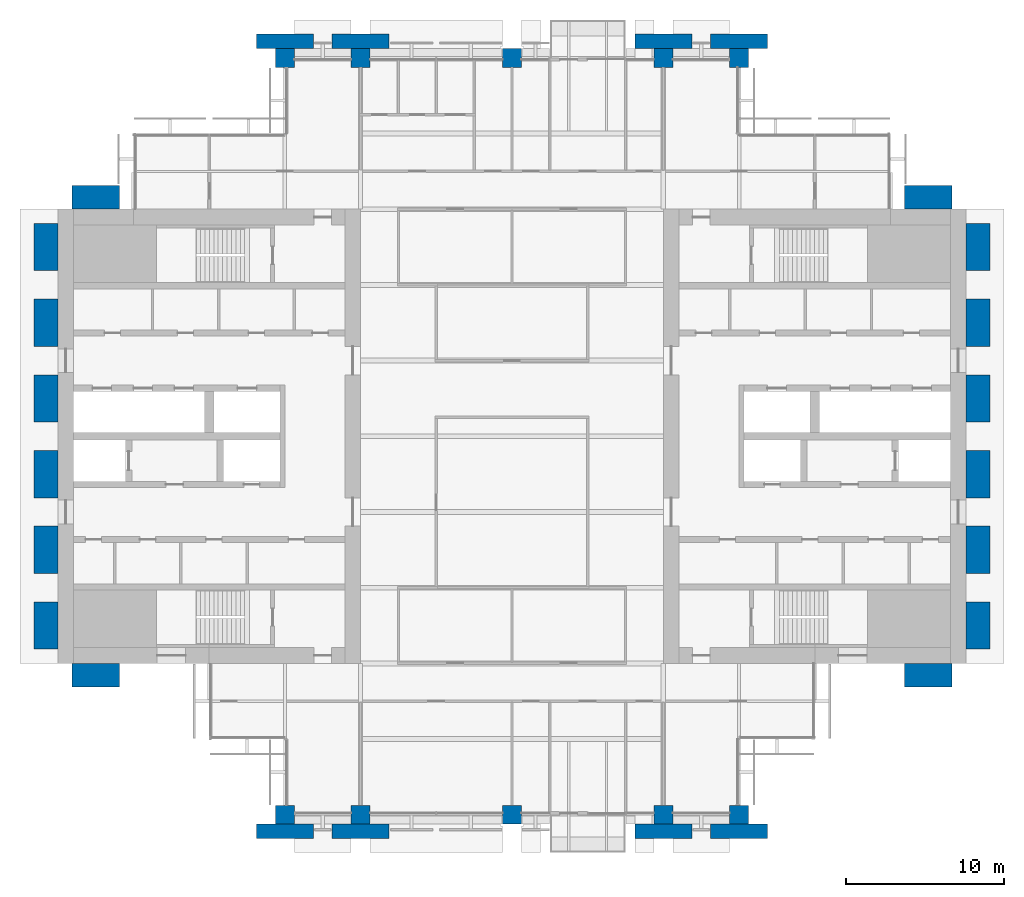
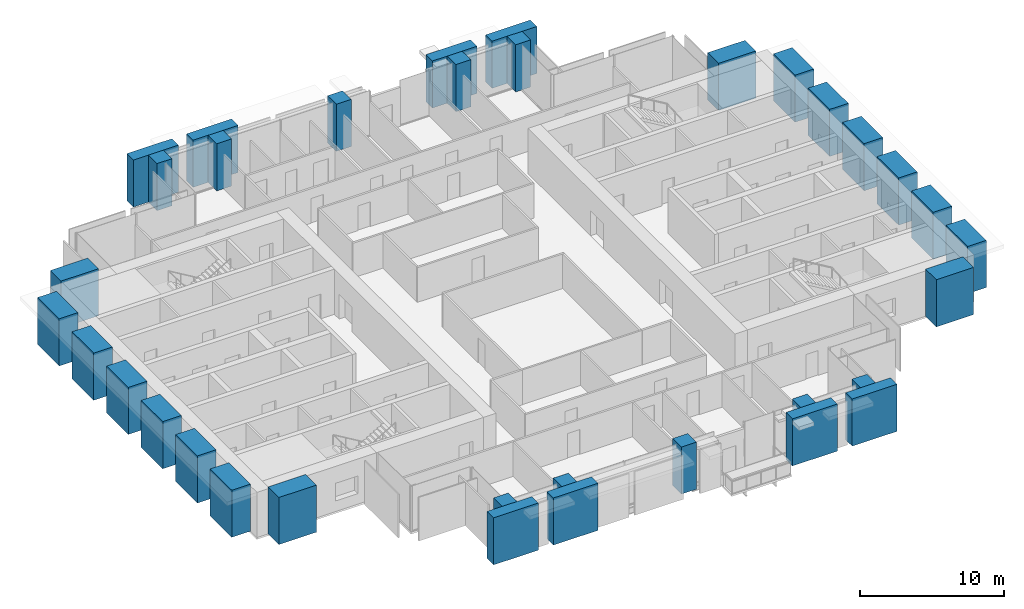
# One storey, part 1 of 15: 34 columns.
"""IFC4 building model written with IfcOpenShell, lengths in metres."""

from ifc_helpers import new_model, si_unit, direction, frame, origin, origin_2d, place, context, subcontext, project, spatial, rectangle, extrude, material, material_profile, profile_set, type_object, element, save


model = new_model("IFC4")

# Units and contexts
model_context = context("Model", 3, precision=1e-05, world=origin(), true_north=direction((0.0, 1.0)))
body_context = subcontext(model_context, "Body", "Model", "MODEL_VIEW")
ifc_project = project(units=[si_unit("LENGTHUNIT", "METRE"), si_unit("AREAUNIT", "SQUARE_METRE"), si_unit("VOLUMEUNIT", "CUBIC_METRE"), si_unit("PLANEANGLEUNIT", "RADIAN"), si_unit("MASSUNIT", "GRAM", prefix="KILO")], contexts=[model_context])

# Site, building, storey
site_placement = place(None, origin())
site = spatial("IfcSite", under=ifc_project, at=site_placement, CompositionType="ELEMENT")
building_placement = place(site_placement, origin())
building = spatial("IfcBuilding", under=site, at=building_placement, Name="Baori Bourse Tower", CompositionType="ELEMENT")
storey_placement = place(building_placement, frame((0.0, 0.0, 140.10009765625)))
storey = spatial("IfcBuildingStorey", under=building, at=storey_placement, Name="L30", CompositionType="ELEMENT", Elevation=140.10009765625)

# Columns
ifc_material_1 = material(Name="Concrete f'c 60 MPa", Category="concrete")
ifc_material_profile_1 = material_profile(ifc_material_1, rectangle(XDim=3.60009765625, YDim=0.89990234375, at=origin_2d()), Name="RC 3600x900")
ifc_profile_set_1 = profile_set([ifc_material_profile_1], Name="Concrete f'c 60 MPa")
column_type_1 = type_object("IfcColumnType", Name="FN3 Brick pilaster 3600x900", PredefinedType="PILASTER", material=ifc_profile_set_1)
for number, where, z_axis, x_axis, name in (
    (1, (14.39990234375, -1.050048828125, 0.0), (0.0, 0.0, 1.0), (1.0, 0.0, 0.0), "Brick pilaster L30 17"),
    (2, (19.199951171875, -1.050048828125, 0.0), (0.0, 0.0, 1.0), (1.0, 0.0, 0.0), "Brick pilaster L30 18"),
    (3, (38.39990234375, -1.050048828125, 0.0), (0.0, 0.0, 1.0), (1.0, 0.0, 0.0), "Brick pilaster L30 19"),
    (4, (43.199951171875, -1.050048828125, 0.0), (0.0, 0.0, 1.0), (1.0, 0.0, 0.0), "Brick pilaster L30 20"),
    (5, (14.39990234375, 49.050048828125, 0.0), (0.0, 0.0, 1.0), (1.0, 0.0, 0.0), "Brick pilaster L30 21"),
    (6, (19.199951171875, 49.050048828125, 0.0), (0.0, 0.0, 1.0), (1.0, 0.0, 0.0), "Brick pilaster L30 22"),
    (7, (38.39990234375, 49.050048828125, 0.0), (0.0, 0.0, 1.0), (1.0, 0.0, 0.0), "Brick pilaster L30 23"),
    (8, (43.199951171875, 49.050048828125, 0.0), (0.0, 0.0, 1.0), (1.0, 0.0, 0.0), "Brick pilaster L30 24"),
):
    element("IfcColumn", number, at=place(storey_placement, frame(where, z_axis=z_axis, x_axis=x_axis)), inside=storey, type_object=column_type_1, Name=name, PredefinedType="PILASTER", context=body_context, shape_type="SweptSolid", body=[
        extrude(rectangle(XDim=3.60009765625, YDim=0.89990234375, at=origin_2d()), origin(), (0.0, 0.0, 1.0), 4.0),
    ])
ifc_material_2 = material(Name="Concrete f'c 60 MPa", Category="concrete")
ifc_material_profile_2 = material_profile(ifc_material_2, rectangle(XDim=3.0, YDim=1.5, at=origin_2d()), Name="RC 3000x1500")
ifc_profile_set_2 = profile_set([ifc_material_profile_2], Name="Concrete f'c 60 MPa")
column_type_2 = type_object("IfcColumnType", Name="FN4 Brick flank pilaster 3000x1500", PredefinedType="PILASTER", material=ifc_profile_set_2)
for number, where, z_axis, x_axis, name in (
    (9, (55.199951171875, 8.85009765625, 0.0), (0.0, 0.0, 1.0), (1.0, 0.0, 0.0), "Brick pilaster L30 1"),
    (10, (58.35009765625, 12.0, 0.0), (0.0, 0.0, 1.0), (0.0, 1.0, 0.0), "Brick pilaster L30 2"),
    (11, (58.35009765625, 16.800048828125, 0.0), (0.0, 0.0, 1.0), (0.0, 1.0, 0.0), "Brick pilaster L30 3"),
    (12, (58.35009765625, 21.60009765625, 0.0), (0.0, 0.0, 1.0), (0.0, 1.0, 0.0), "Brick pilaster L30 4"),
    (13, (58.35009765625, 26.39990234375, 0.0), (0.0, 0.0, 1.0), (0.0, 1.0, 0.0), "Brick pilaster L30 5"),
    (14, (58.35009765625, 31.199951171875, 0.0), (0.0, 0.0, 1.0), (0.0, 1.0, 0.0), "Brick pilaster L30 6"),
    (15, (58.35009765625, 36.0, 0.0), (0.0, 0.0, 1.0), (0.0, 1.0, 0.0), "Brick pilaster L30 7"),
    (16, (55.199951171875, 39.14990234375, 0.0), (0.0, 0.0, 1.0), (1.0, 0.0, 0.0), "Brick pilaster L30 8"),
    (17, (2.39990234375, 39.14990234375, 0.0), (0.0, 0.0, 1.0), (1.0, 0.0, 0.0), "Brick pilaster L30 9"),
    (18, (-0.75, 12.0, 0.0), (0.0, 0.0, 1.0), (0.0, 1.0, 0.0), "Brick pilaster L30 10"),
    (19, (-0.75, 16.800048828125, 0.0), (0.0, 0.0, 1.0), (0.0, 1.0, 0.0), "Brick pilaster L30 11"),
    (20, (-0.75, 21.60009765625, 0.0), (0.0, 0.0, 1.0), (0.0, 1.0, 0.0), "Brick pilaster L30 12"),
    (21, (-0.75, 26.39990234375, 0.0), (0.0, 0.0, 1.0), (0.0, 1.0, 0.0), "Brick pilaster L30 13"),
    (22, (-0.75, 31.199951171875, 0.0), (0.0, 0.0, 1.0), (0.0, 1.0, 0.0), "Brick pilaster L30 14"),
    (23, (-0.75, 36.0, 0.0), (0.0, 0.0, 1.0), (0.0, 1.0, 0.0), "Brick pilaster L30 15"),
    (24, (2.39990234375, 8.85009765625, 0.0), (0.0, 0.0, 1.0), (1.0, 0.0, 0.0), "Brick pilaster L30 16"),
):
    element("IfcColumn", number, at=place(storey_placement, frame(where, z_axis=z_axis, x_axis=x_axis)), inside=storey, type_object=column_type_2, Name=name, PredefinedType="PILASTER", context=body_context, shape_type="SweptSolid", body=[
        extrude(rectangle(XDim=3.0, YDim=1.5, at=origin_2d()), origin(), (0.0, 0.0, 1.0), 4.0),
    ])
ifc_material_3 = material(Name="Concrete f'c 60 MPa", Category="concrete")
ifc_material_profile_3 = material_profile(ifc_material_3, rectangle(XDim=1.199951171875, YDim=1.199951171875, at=origin_2d()), Name="RC 1200x1200")
ifc_profile_set_3 = profile_set([ifc_material_profile_3], Name="Concrete f'c 60 MPa")
column_type_3 = type_object("IfcColumnType", Name="Perimeter column 60 RC 1200x1200", PredefinedType="COLUMN", material=ifc_profile_set_3)
for number, where, z_axis, x_axis, name in (
    (25, (14.39990234375, 0.0, 0.0), (0.0, 0.0, 1.0), (1.0, 0.0, 0.0), "Perimeter column L30"),
    (26, (19.199951171875, 0.0, 0.0), (0.0, 0.0, 1.0), (1.0, 0.0, 0.0), "Perimeter column L30"),
    (27, (28.800048828125, 0.0, 0.0), (0.0, 0.0, 1.0), (1.0, 0.0, 0.0), "Perimeter column L30"),
    (28, (38.39990234375, 0.0, 0.0), (0.0, 0.0, 1.0), (1.0, 0.0, 0.0), "Perimeter column L30"),
    (29, (43.199951171875, 0.0, 0.0), (0.0, 0.0, 1.0), (1.0, 0.0, 0.0), "Perimeter column L30"),
    (30, (14.39990234375, 48.0, 0.0), (0.0, 0.0, 1.0), (1.0, 0.0, 0.0), "Perimeter column L30"),
    (31, (19.199951171875, 48.0, 0.0), (0.0, 0.0, 1.0), (1.0, 0.0, 0.0), "Perimeter column L30"),
    (32, (28.800048828125, 48.0, 0.0), (0.0, 0.0, 1.0), (1.0, 0.0, 0.0), "Perimeter column L30"),
    (33, (38.39990234375, 48.0, 0.0), (0.0, 0.0, 1.0), (1.0, 0.0, 0.0), "Perimeter column L30"),
    (34, (43.199951171875, 48.0, 0.0), (0.0, 0.0, 1.0), (1.0, 0.0, 0.0), "Perimeter column L30"),
):
    element("IfcColumn", number, at=place(storey_placement, frame(where, z_axis=z_axis, x_axis=x_axis)), inside=storey, type_object=column_type_3, Name=name, PredefinedType="COLUMN", context=body_context, shape_type="SweptSolid", body=[
        extrude(rectangle(XDim=1.199951171875, YDim=1.199951171875, at=origin_2d()), origin(), (0.0, 0.0, 1.0), 4.0),
    ])

save(model, "model.ifc")
